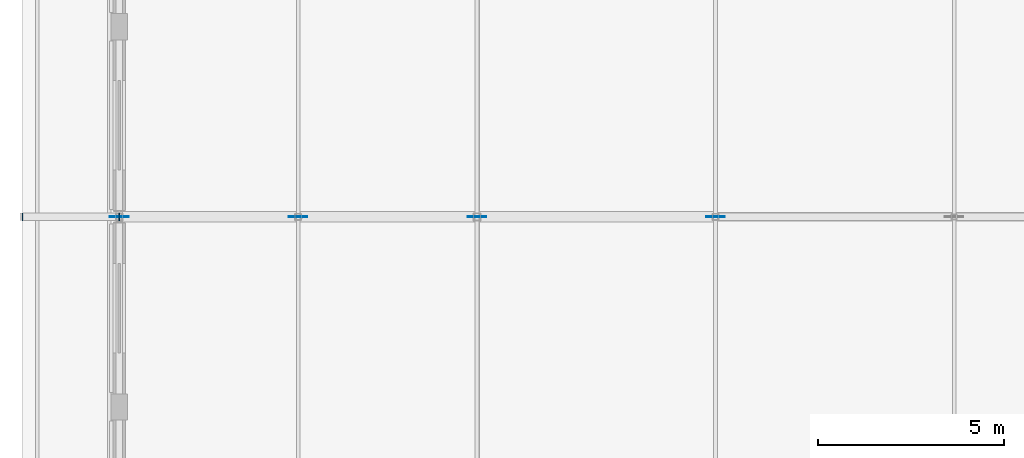
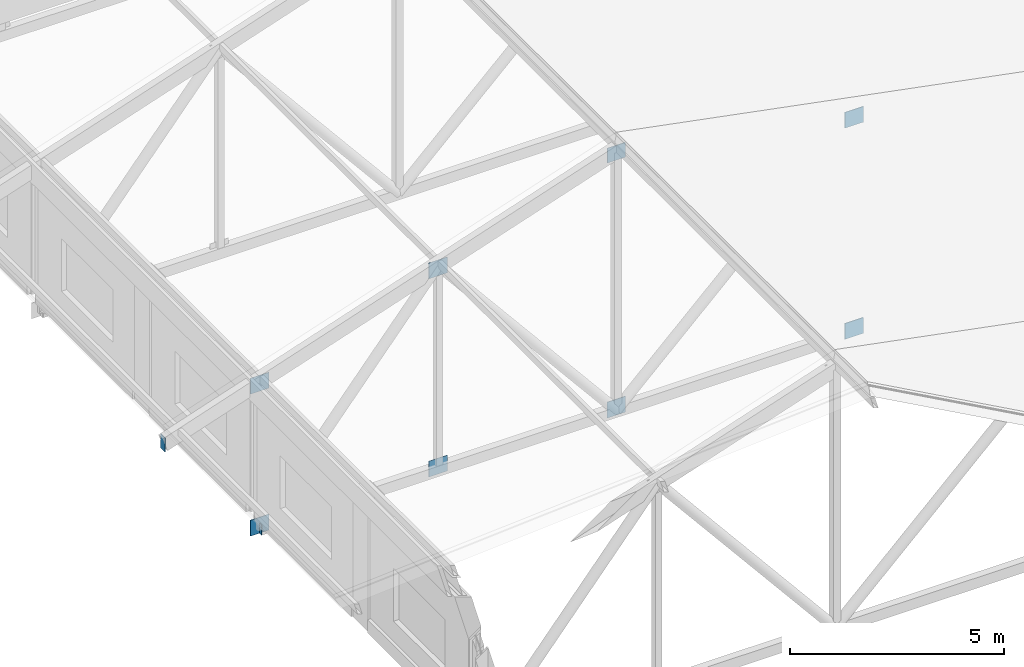
# One storey, part 160 of 200: 10 plates.
"""IFC4 building model written with IfcOpenShell, lengths in metres."""

from ifc_helpers import new_model, si_unit, direction, frame, origin, origin_2d, place, context, subcontext, project, spatial, rectangle, extrude, material, layer, layer_set, type_object, element, save


model = new_model("IFC4")

# Units and contexts
model_context = context("Model", 3, precision=1e-05, world=origin(), true_north=direction((0.0, 1.0)))
body_context = subcontext(model_context, "Body", "Model", "MODEL_VIEW")
ifc_project = project(units=[si_unit("LENGTHUNIT", "METRE"), si_unit("AREAUNIT", "SQUARE_METRE"), si_unit("VOLUMEUNIT", "CUBIC_METRE"), si_unit("PLANEANGLEUNIT", "RADIAN"), si_unit("MASSUNIT", "GRAM", prefix="KILO")], contexts=[model_context])

# Site, building, storey
site_placement = place(None, origin())
site = spatial("IfcSite", under=ifc_project, at=site_placement, CompositionType="ELEMENT")
building_placement = place(site_placement, origin())
building = spatial("IfcBuilding", under=site, at=building_placement, Name="Vondelvale Polytechnic", CompositionType="ELEMENT")
storey_placement = place(building_placement, frame((0.0, 0.0, 13.800048828125)))
storey = spatial("IfcBuildingStorey", under=building, at=storey_placement, Name="L03", CompositionType="ELEMENT", Elevation=13.800048828125)

# Plates
ifc_material = material(Name="Steel Grade 350 (fy = 340 MPa)", Category="steel")
ifc_layer_1 = layer(ifc_material, 0.01611328125)
ifc_layer_set_1 = layer_set([ifc_layer_1], Name="PLATE-CAP-300x200")
plate_type_1 = type_object("IfcPlateType", Name="PLATE-CAP-300x200", PredefinedType="USERDEFINED", material=ifc_layer_set_1)
plate_1_placement = place(storey_placement, frame((0.0, 102.0, -0.5703125), z_axis=(0.0, 0.0, 1.0), x_axis=(1.0, 0.0, 0.0)))
element("IfcPlate", 1, at=plate_1_placement, inside=storey, type_object=plate_type_1, Name="ROOF TRUSS bottom chord cap plate W", ObjectType="CAP_PLATE", PredefinedType="USERDEFINED", context=body_context, shape_type="SweptSolid", body=[
    extrude(rectangle(XDim=0.01611328125, YDim=0.199951171875, at=origin_2d()), origin(), (0.0, 0.0, 1.0), 0.300048828125),
])
ifc_layer_2 = layer(ifc_material, 0.01611328125)
ifc_layer_set_2 = layer_set([ifc_layer_2], Name="PLATE-CAP-400x200")
plate_type_2 = type_object("IfcPlateType", Name="PLATE-CAP-400x200", PredefinedType="USERDEFINED", material=ifc_layer_set_2)
plate_2_placement = place(storey_placement, frame((-2.60009765625, 102.0, 2.71337890625), z_axis=(0.0, 0.0, 1.0), x_axis=(1.0, 0.0, 0.0)))
element("IfcPlate", 2, at=plate_2_placement, inside=storey, type_object=plate_type_2, Name="ROOF TRUSS hollow end cap plate W", ObjectType="CAP_PLATE", PredefinedType="USERDEFINED", context=body_context, shape_type="SweptSolid", body=[
    extrude(rectangle(XDim=0.01611328125, YDim=0.199951171875, at=origin_2d()), origin(), (0.0, 0.0, 1.0), 0.39990234375),
])
ifc_layer_3 = layer(ifc_material, 0.01611328125)
ifc_layer_set_3 = layer_set([ifc_layer_3], Name="PLATE-GUSSET-16")
plate_type_3 = type_object("IfcPlateType", Name="PLATE-GUSSET-16", PredefinedType="USERDEFINED", material=ifc_layer_set_3)
for number, where, z_axis, x_axis, name in (
    (3, (0.0, 102.0, 3.47509765625), (0.0, 0.0, 1.0), (1.0, 0.0, 0.0), "ROOF TRUSS top chord gusset node plate 0"),
    (4, (0.0, 102.0, -0.56494140625), (0.0, 0.0, 1.0), (1.0, 0.0, 0.0), "ROOF TRUSS bottom chord gusset node plate 0"),
    (5, (4.800048828125, 102.0, 5.0751953125), (0.0, 0.0, 1.0), (1.0, 0.0, 0.0), "ROOF TRUSS top chord gusset node plate 1"),
    (6, (4.800048828125, 102.0, -0.56494140625), (0.0, 0.0, 1.0), (1.0, 0.0, 0.0), "ROOF TRUSS bottom chord gusset node plate 1"),
    (7, (9.60009765625, 102.0, -0.56494140625), (0.0, 0.0, 1.0), (1.0, 0.0, 0.0), "ROOF TRUSS bottom chord gusset node plate 2"),
    (8, (16.0, 102.0, 5.44189453125), (0.0, 0.0, 1.0), (1.0, 0.0, 0.0), "ROOF TRUSS top chord gusset node plate 3"),
    (9, (16.0, 102.0, -0.56494140625), (0.0, 0.0, 1.0), (1.0, 0.0, 0.0), "ROOF TRUSS bottom chord gusset node plate 3"),
):
    element("IfcPlate", number, at=place(storey_placement, frame(where, z_axis=z_axis, x_axis=x_axis)), inside=storey, type_object=plate_type_3, Name=name, ObjectType="GUSSET_PLATE", PredefinedType="USERDEFINED", context=body_context, shape_type="SweptSolid", body=[
        extrude(rectangle(XDim=0.5, YDim=0.01611328125, at=origin_2d()), origin(), (0.0, 0.0, 1.0), 0.449951171875),
    ])
ifc_layer_4 = layer(ifc_material, 0.01611328125)
ifc_layer_set_4 = layer_set([ifc_layer_4], Name="PLATE-GUSSET-G06")
plate_type_4 = type_object("IfcPlateType", Name="PLATE-GUSSET-G06", PredefinedType="USERDEFINED", material=ifc_layer_set_4)
plate_3_placement = place(storey_placement, frame((9.60009765625, 102.0, 6.68994140625), z_axis=(0.0, 0.0, 1.0), x_axis=(1.0, 0.0, 0.0)))
element("IfcPlate", 10, at=plate_3_placement, inside=storey, type_object=plate_type_4, Name="ROOF TRUSS top chord gusset node plate 2", ObjectType="GUSSET_PLATE", PredefinedType="USERDEFINED", context=body_context, shape_type="SweptSolid", body=[
    extrude(rectangle(XDim=0.47998046875, YDim=0.01611328125, at=origin_2d()), origin(), (0.0, 0.0, 1.0), 0.419921875),
])

save(model, "model.ifc")
